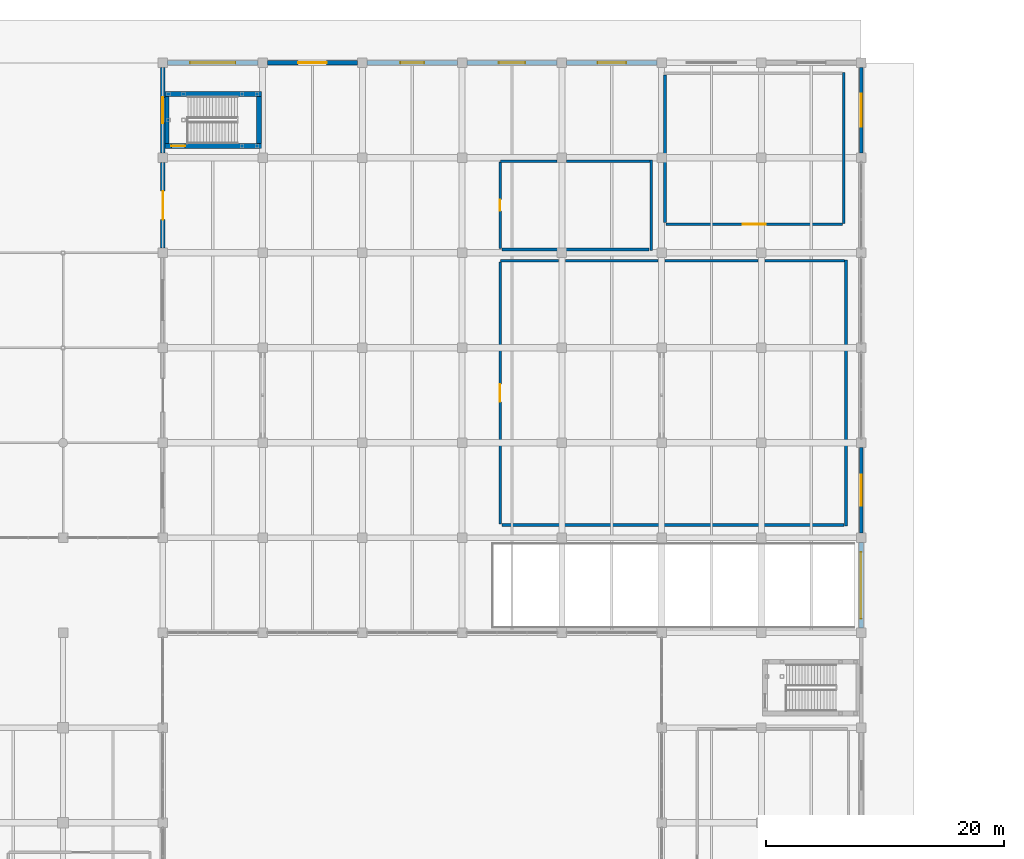
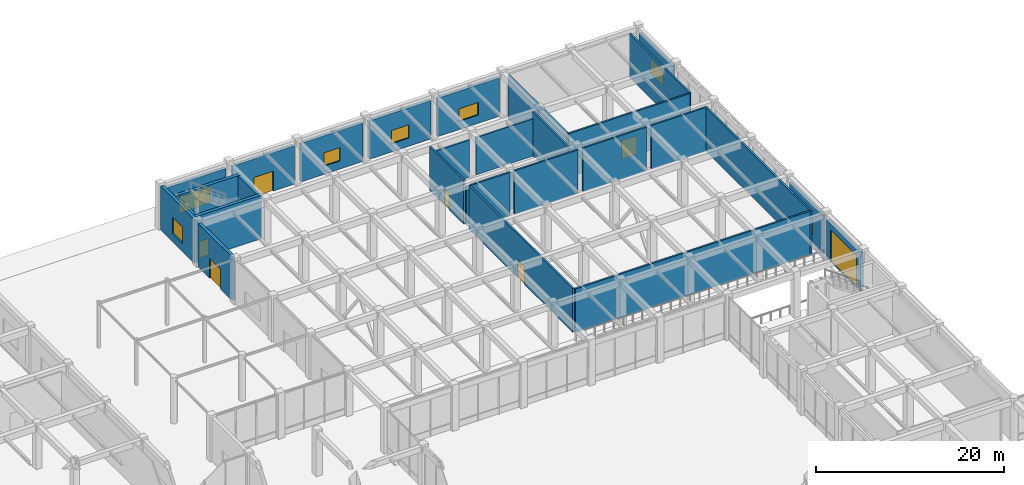
# One storey, part 56 of 76: 29 walls, 7 doors, 7 windows, 14 openings.
"""IFC4 building model written with IfcOpenShell, lengths in metres."""

import ifcopenshell
import ifcopenshell.guid

model = None  # the IFC model being written
_history = None  # IfcOwnerHistory: only IFC2X3 demands one
_inside = {}  # id of a spatial element -> (the spatial element, [elements in it])
_under = {}  # id of a project, library or spatial element -> (it, [spatial elements below it])
_declared = {}  # id of a project -> (the project, [libraries it declares])
_typed = {}  # id of a type object -> (the type object, [elements of that type])
_made_of = {}  # id of a material, layer set ... -> (it, [elements and type objects made of it])


def new_model(schema):
    """Start an empty IFC model of exactly this schema.

    Asked for "IFC4X3", IfcOpenShell would pick the latest addendum, in which some entities
    have other attributes; the version numbers below select the first issue.
    IFC2X3 requires an IfcOwnerHistory on every rooted entity: one is made here for all.
    """
    global model, _history
    if schema == "IFC4X3":
        model = ifcopenshell.file(schema_version=(4, 3, 0, 0))
    else:
        model = ifcopenshell.file(schema=schema)
    _inside.clear()
    _under.clear()
    _declared.clear()
    _typed.clear()
    _made_of.clear()
    _history = None
    if model.schema == "IFC2X3":
        org = make("IfcOrganization", Name="unknown")
        user = make(
            "IfcPersonAndOrganization",
            ThePerson=make("IfcPerson", FamilyName="unknown"),
            TheOrganization=org,
        )
        app = make(
            "IfcApplication",
            ApplicationDeveloper=org,
            Version="unknown",
            ApplicationFullName="unknown",
            ApplicationIdentifier="unknown",
        )
        _history = make(
            "IfcOwnerHistory",
            OwningUser=user,
            OwningApplication=app,
            ChangeAction="ADDED",
            CreationDate=0,
        )
    return model


def make(cls, **values):
    """One entity of the class cls with the attributes given. An attribute that is None is left unset."""
    return model.create_entity(
        cls, **{name: value for name, value in values.items() if value is not None}
    )


def rooted(cls, **values):
    """An entity with a GlobalId (a new one), such as an element, a storey or a relation."""
    return make(cls, GlobalId=ifcopenshell.guid.new(), OwnerHistory=_history, **values)


def si_unit(unit_type, name, prefix=None):
    """IfcSIUnit, for example si_unit("LENGTHUNIT", "METRE", prefix="MILLI")."""
    return make("IfcSIUnit", UnitType=unit_type, Prefix=prefix, Name=name)


def assignment(units):
    """IfcUnitAssignment: the units of a project."""
    return None if units is None else make("IfcUnitAssignment", Units=units)


def point(xyz):
    """IfcCartesianPoint."""
    return None if xyz is None else make("IfcCartesianPoint", Coordinates=xyz)


def direction(xyz):
    """IfcDirection."""
    return None if xyz is None else make("IfcDirection", DirectionRatios=xyz)


def frame(location, z_axis=None, x_axis=None):
    """IfcAxis2Placement3D, a coordinate frame: its origin and axes. An axis left out is left unset."""
    return make(
        "IfcAxis2Placement3D",
        Location=point(location),
        Axis=direction(z_axis),
        RefDirection=direction(x_axis),
    )


def frame_2d(location, x_axis=None):
    """IfcAxis2Placement2D, a coordinate frame in the plane: its origin and x axis."""
    return make(
        "IfcAxis2Placement2D", Location=point(location), RefDirection=direction(x_axis)
    )


def origin():
    """The frame at (0, 0, 0) with its axes left unset."""
    return frame((0.0, 0.0, 0.0))


def place(relative_to, where):
    """IfcLocalPlacement: puts the frame where relative to a parent placement (None: the world)."""
    return make(
        "IfcLocalPlacement", PlacementRelTo=relative_to, RelativePlacement=where
    )


def context(
    kind, dimensions, precision=None, world=None, true_north=None, identifier=None
):
    """IfcGeometricRepresentationContext, for example the 3D "Model" context."""
    return make(
        "IfcGeometricRepresentationContext",
        ContextIdentifier=identifier,
        ContextType=kind,
        CoordinateSpaceDimension=dimensions,
        Precision=precision,
        WorldCoordinateSystem=world,
        TrueNorth=true_north,
    )


def subcontext(parent, identifier, kind, view, scale=None):
    """IfcGeometricRepresentationSubContext, for example "Body" below "Model"."""
    return make(
        "IfcGeometricRepresentationSubContext",
        ContextIdentifier=identifier,
        ContextType=kind,
        ParentContext=parent,
        TargetScale=scale,
        TargetView=view,
    )


def project(units=None, contexts=None):
    """IfcProject with its units and contexts."""
    return rooted(
        "IfcProject",
        Name="project",
        RepresentationContexts=contexts,
        UnitsInContext=assignment(units),
    )


def spatial(cls, under=None, at=None, **own):
    """A site, building, storey or space (cls), placed at a placement, below another one or the project."""
    s = rooted(cls, ObjectPlacement=at, **own)
    if under is not None:
        _under.setdefault(under.id(), (under, []))[1].append(s)
    return s


def profile(cls, at=None, kind="AREA", **sizes):
    """A parametric profile (cls). Its sizes go by their IFC names, for example OverallWidth=200.0."""
    return make(cls, ProfileType=kind, Position=at, **sizes)


def rectangle(**sizes):
    """IfcRectangleProfileDef."""
    return profile("IfcRectangleProfileDef", **sizes)


def extrude(swept, where, along, depth):
    """IfcExtrudedAreaSolid: the profile swept, set in the frame where, extruded along a direction by depth."""
    return make(
        "IfcExtrudedAreaSolid",
        SweptArea=swept,
        Position=where,
        ExtrudedDirection=direction(along),
        Depth=depth,
    )


def shape(context_of_items, identifier, shape_type, items):
    """IfcShapeRepresentation: the items that make up one representation, for example the "Body"."""
    return make(
        "IfcShapeRepresentation",
        ContextOfItems=context_of_items,
        RepresentationIdentifier=identifier,
        RepresentationType=shape_type,
        Items=items,
    )


def material(Name=None, Category=None):
    """IfcMaterial."""
    return make("IfcMaterial", Name=Name, Category=Category)


def layer(
    of_material, thickness, ventilated=None, Name=None, Category=None, Priority=None
):
    """IfcMaterialLayer: one layer of a wall or slab, of a material (None: an air gap)."""
    return make(
        "IfcMaterialLayer",
        Material=of_material,
        LayerThickness=thickness,
        IsVentilated=ventilated,
        Name=Name,
        Category=Category,
        Priority=Priority,
    )


def layer_set(layers, Name=None):
    """IfcMaterialLayerSet."""
    return make("IfcMaterialLayerSet", MaterialLayers=layers, LayerSetName=Name)


def made_of(thing, what):
    """Note that an element or type object is made of a material, layer set ...; save() writes the relation."""
    if what is not None:
        _made_of.setdefault(what.id(), (what, []))[1].append(thing)
    return thing


def type_object(cls, material=None, **own):
    """A type object (cls), such as IfcWallType, which elements share."""
    return made_of(rooted(cls, **own), material)


def element(
    cls,
    number,
    at=None,
    inside=None,
    cuts=None,
    type_object=None,
    material=None,
    context=None,
    identifier="Body",
    shape_type=None,
    held_by="IfcProductDefinitionShape",
    body=None,
    shapes=None,
    **own,
):
    """One element of the class cls, such as IfcWall. Its Tag is "e" and its number.

    at: its placement. inside: the storey or other place that contains it. cuts: it is an
    opening in that element (IfcRelVoidsElement). A single representation is given by context,
    identifier, shape_type and body (its items); several are given by shapes. held_by: the class
    of the entity that holds the representations. save() writes the other relations.
    """
    e = rooted(cls, Tag="e%d" % number, ObjectPlacement=at, **own)
    if body is not None:
        shapes = [shape(context, identifier, shape_type, body)]
    if shapes is not None:
        e.Representation = make(held_by, Representations=shapes)
    if inside is not None:
        _inside.setdefault(inside.id(), (inside, []))[1].append(e)
    if cuts is not None:
        rooted(
            "IfcRelVoidsElement", RelatingBuildingElement=cuts, RelatedOpeningElement=e
        )
    if type_object is not None:
        _typed.setdefault(type_object.id(), (type_object, []))[1].append(e)
    return made_of(e, material)


def fill(opening, filler):
    """IfcRelFillsElement: the door or window that sits in an opening."""
    return rooted(
        "IfcRelFillsElement",
        RelatingOpeningElement=opening,
        RelatedBuildingElement=filler,
    )


def aggregate(whole, parts):
    """IfcRelAggregates: a whole, such as a stair, and the parts it consists of."""
    return rooted("IfcRelAggregates", RelatingObject=whole, RelatedObjects=parts)


def save(model, path):
    """Write the relations noted so far, then the file.

    IfcRelAggregates (storeys below a building ...), IfcRelContainedInSpatialStructure (elements
    in a storey), IfcRelDefinesByType, IfcRelAssociatesMaterial and IfcRelDeclares: one each for
    every whole, place, type object, material and project.
    """
    for whole, parts in _under.values():
        aggregate(whole, parts)
    for where, things in _inside.values():
        rooted(
            "IfcRelContainedInSpatialStructure",
            RelatedElements=things,
            RelatingStructure=where,
        )
    for kind, things in _typed.values():
        rooted("IfcRelDefinesByType", RelatedObjects=things, RelatingType=kind)
    for what, things in _made_of.values():
        rooted("IfcRelAssociatesMaterial", RelatedObjects=things, RelatingMaterial=what)
    for by, libraries in _declared.values():
        rooted("IfcRelDeclares", RelatingContext=by, RelatedDefinitions=libraries)
    model.write(path)


model = new_model("IFC4")

# Units and contexts
model_context = context("Model", 3, precision=1e-05, world=origin(), true_north=direction((0.0, 1.0)))
body_context = subcontext(model_context, "Body", "Model", "MODEL_VIEW")
ifc_project = project(units=[si_unit("LENGTHUNIT", "METRE"), si_unit("AREAUNIT", "SQUARE_METRE"), si_unit("VOLUMEUNIT", "CUBIC_METRE"), si_unit("PLANEANGLEUNIT", "RADIAN"), si_unit("MASSUNIT", "GRAM", prefix="KILO")], contexts=[model_context])

# Site, building, storey
site_placement = place(None, origin())
site = spatial("IfcSite", under=ifc_project, at=site_placement, CompositionType="ELEMENT")
building_placement = place(site_placement, origin())
building = spatial("IfcBuilding", under=site, at=building_placement, Name="Naruveol Harbour Congress Hotel", CompositionType="ELEMENT")
storey_placement = place(building_placement, origin())
storey = spatial("IfcBuildingStorey", under=building, at=storey_placement, Name="L00", CompositionType="ELEMENT", Elevation=0.0)

# Wall, opening, window
ifc_material_1 = material(Name="Precast concrete C40/50", Category="concrete")
ifc_layer_1 = layer(ifc_material_1, 0.280029296875)
ifc_layer_set_1 = layer_set([ifc_layer_1], Name="Precast concrete C40/50")
wall_type_1 = type_object("IfcWallType", Name="ARCHITECTURAL PRECAST FACADE WALL 280", PredefinedType="SOLIDWALL", material=ifc_layer_set_1)
wall_1_placement = place(storey_placement, frame((126.0, 79.60009765625, 0.0), z_axis=(0.0, 0.0, 1.0), x_axis=(0.0, -1.0, 0.0)))
wall_1 = element("IfcWall", 1, at=wall_1_placement, inside=storey, type_object=wall_type_1, Name="Ballroom east garden wall EW-280", PredefinedType="SOLIDWALL", context=body_context, shape_type="SweptSolid", body=[
    extrude(rectangle(XDim=7.2001953125, YDim=0.280029296875, at=frame_2d((3.60009765625, 0.0))), origin(), (0.0, 0.0, 1.0), 5.0),
])
opening_1_placement = place(wall_1_placement, frame((2.300048828125, 0.0, 1.050048828125)))
opening_1 = element("IfcOpeningElement", 2, at=opening_1_placement, cuts=wall_1, Name="Opening W-08", PredefinedType="OPENING", context=body_context, shape_type="SweptSolid", body=[
    extrude(rectangle(XDim=2.60009765625, YDim=1.85009765625, at=frame_2d((1.300048828125, 0.925048828125))), frame((0.0, 0.14990234375, 0.0), z_axis=(0.0, -1.0, 0.0), x_axis=(1.0, 0.0, 0.0)), (0.0, 0.0, 1.0), 0.300048828125),
])
ifc_material_2 = material(Name="Low-E Triple Glazing in Thermal Aluminium", Category="aluminium")
window_type_1 = type_object("IfcWindowType", Name="DIPLOMATIC SUITE WINDOW 2600X1850", PartitioningType="DOUBLE_PANEL_VERTICAL", PredefinedType="WINDOW", material=ifc_material_2)
window_1_placement = place(opening_1_placement, origin())
window_1 = element("IfcWindow", 3, at=window_1_placement, inside=storey, type_object=window_type_1, Name="Window W-08 #111", OverallHeight=1.85009765625, OverallWidth=2.60009765625, PartitioningType="DOUBLE_PANEL_VERTICAL", PredefinedType="WINDOW", context=body_context, shape_type="SweptSolid", body=[
    extrude(rectangle(XDim=2.60009765625, YDim=1.85009765625, at=frame_2d((1.300048828125, 0.925048828125))), frame((0.0, 0.030029296875, 0.0), z_axis=(0.0, -1.0, 0.0), x_axis=(1.0, 0.0, 0.0)), (0.0, 0.0, 1.0), 0.06005859375),
])
fill(opening_1, window_1)

wall_2_placement = place(storey_placement, frame((126.0, 111.60009765625, 0.0), z_axis=(0.0, 0.0, 1.0), x_axis=(0.0, -1.0, 0.0)))
wall_2 = element("IfcWall", 4, at=wall_2_placement, inside=storey, type_object=wall_type_1, Name="Ballroom east garden wall EW-280", PredefinedType="SOLIDWALL", context=body_context, shape_type="SweptSolid", body=[
    extrude(rectangle(XDim=7.2001953125, YDim=0.280029296875, at=frame_2d((3.60009765625, 0.0))), origin(), (0.0, 0.0, 1.0), 5.0),
])
opening_2_placement = place(wall_2_placement, frame((2.199951171875, 0.0, 1.050048828125)))
opening_2 = element("IfcOpeningElement", 5, at=opening_2_placement, cuts=wall_2, Name="Opening W-09", PredefinedType="OPENING", context=body_context, shape_type="SweptSolid", body=[
    extrude(rectangle(XDim=2.800048828125, YDim=1.949951171875, at=frame_2d((1.39990234375, 0.97509765625))), frame((0.0, 0.14990234375, 0.0), z_axis=(0.0, -1.0, 0.0), x_axis=(1.0, 0.0, 0.0)), (0.0, 0.0, 1.0), 0.300048828125),
])
ifc_material_3 = material(Name="Low-E Triple Glazing in Thermal Aluminium", Category="aluminium")
window_type_2 = type_object("IfcWindowType", Name="PRESIDENTIAL SUITE WINDOW 2800X1950", PartitioningType="DOUBLE_PANEL_VERTICAL", PredefinedType="WINDOW", material=ifc_material_3)
window_2_placement = place(opening_2_placement, origin())
window_2 = element("IfcWindow", 6, at=window_2_placement, inside=storey, type_object=window_type_2, Name="Window W-09 #112", OverallHeight=1.949951171875, OverallWidth=2.800048828125, PartitioningType="DOUBLE_PANEL_VERTICAL", PredefinedType="WINDOW", context=body_context, shape_type="SweptSolid", body=[
    extrude(rectangle(XDim=2.800048828125, YDim=1.949951171875, at=frame_2d((1.39990234375, 0.97509765625))), frame((0.0, 0.030029296875, 0.0), z_axis=(0.0, -1.0, 0.0), x_axis=(1.0, 0.0, 0.0)), (0.0, 0.0, 1.0), 0.06005859375),
])
fill(opening_2, window_2)

# Wall, opening, door
ifc_material_4 = material(Name="Concrete C40/50", Category="concrete")
ifc_layer_2 = layer(ifc_material_4, 0.219970703125)
ifc_layer_set_2 = layer_set([ifc_layer_2], Name="Concrete C40/50")
wall_type_2 = type_object("IfcWallType", Name="FIRE COMPARTMENT AND LOBBY WALL 220 EI120", PredefinedType="PARTITIONING", material=ifc_layer_set_2)
wall_3_placement = place(storey_placement, frame((95.60009765625, 73.159912109375, 0.0), z_axis=(0.0, 0.0, 1.0), x_axis=(0.0, 1.0, 0.0)))
wall_3 = element("IfcWall", 7, at=wall_3_placement, inside=storey, type_object=wall_type_2, Name="Main Banquet Production Kitchen west entry wall FW-220", PredefinedType="PARTITIONING", context=body_context, shape_type="SweptSolid", body=[
    extrude(rectangle(XDim=22.080078125, YDim=0.219970703125, at=frame_2d((11.0400390625, 0.0))), origin(), (0.0, 0.0, 1.0), 5.675048828125),
])
opening_3_placement = place(wall_3_placement, frame((10.2900390625, 0.0, 0.0)))
opening_3 = element("IfcOpeningElement", 8, at=opening_3_placement, cuts=wall_3, Name="Opening FD-KT-23", PredefinedType="OPENING", context=body_context, shape_type="SweptSolid", body=[
    extrude(rectangle(XDim=1.5, YDim=2.300048828125, at=frame_2d((0.75, 1.14990234375))), frame((0.0, 0.119873046875, 0.0), z_axis=(0.0, -1.0, 0.0), x_axis=(1.0, 0.0, 0.0)), (0.0, 0.0, 1.0), 0.239990234375),
])
ifc_material_5 = material(Name="Timber & Steel Acoustic Leaf", Category="steel")
door_type_1 = type_object("IfcDoorType", Name="BANQUET KITCHEN SERVICE FIRE DOOR 1500X2300", OperationType="DOUBLE_DOOR_SINGLE_SWING", PredefinedType="DOOR", material=ifc_material_5)
door_1_placement = place(opening_3_placement, origin())
door_1 = element("IfcDoor", 9, at=door_1_placement, inside=storey, type_object=door_type_1, Name="Main Banquet Production Kitchen Fire Door", OperationType="DOUBLE_DOOR_SINGLE_SWING", OverallHeight=2.300048828125, OverallWidth=1.5, PredefinedType="DOOR", context=body_context, shape_type="SweptSolid", body=[
    extrude(rectangle(XDim=1.5, YDim=2.300048828125, at=frame_2d((0.75, 1.14990234375))), frame((0.0, 0.02490234375, 0.0), z_axis=(0.0, -1.0, 0.0), x_axis=(1.0, 0.0, 0.0)), (0.0, 0.0, 1.0), 0.050048828125),
])
fill(opening_3, door_1)

# Wall
wall_4_placement = place(storey_placement, frame((95.739990234375, 73.080078125, 0.0), z_axis=(0.0, 0.0, 1.0), x_axis=(1.0, 0.0, 0.0)))
element("IfcWall", 10, at=wall_4_placement, inside=storey, type_object=wall_type_2, Name="Main Banquet Production Kitchen south partition FW-220", PredefinedType="PARTITIONING", context=body_context, shape_type="SweptSolid", body=[
    extrude(rectangle(XDim=28.81005859375, YDim=0.219970703125, at=frame_2d((14.405029296875, 0.0))), origin(), (0.0, 0.0, 1.0), 5.675048828125),
])

# Wall, opening, door
wall_5_placement = place(storey_placement, frame((95.60009765625, 96.360107421875, 0.0), z_axis=(0.0, 0.0, 1.0), x_axis=(0.0, 1.0, 0.0)))
wall_5 = element("IfcWall", 11, at=wall_5_placement, inside=storey, type_object=wall_type_2, Name="Ballroom Chair and Staging Store west entry wall FW-220", PredefinedType="PARTITIONING", context=body_context, shape_type="SweptSolid", body=[
    extrude(rectangle(XDim=7.27978515625, YDim=0.219970703125, at=frame_2d((3.639892578125, 0.0))), origin(), (0.0, 0.0, 1.0), 5.675048828125),
])
opening_4_placement = place(wall_5_placement, frame((3.169921875, 0.0, 0.0)))
opening_4 = element("IfcOpeningElement", 12, at=opening_4_placement, cuts=wall_5, Name="Opening FD-ST-24", PredefinedType="OPENING", context=body_context, shape_type="SweptSolid", body=[
    extrude(rectangle(XDim=0.93994140625, YDim=2.14990234375, at=frame_2d((0.469970703125, 1.074951171875))), frame((0.0, 0.119873046875, 0.0), z_axis=(0.0, -1.0, 0.0), x_axis=(1.0, 0.0, 0.0)), (0.0, 0.0, 1.0), 0.239990234375),
])
ifc_material_6 = material(Name="Timber & Steel Acoustic Leaf", Category="steel")
door_type_2 = type_object("IfcDoorType", Name="HOUSEKEEPING AND STORE FIRE DOOR 940X2150", OperationType="NOTDEFINED", PredefinedType="DOOR", material=ifc_material_6)
door_2_placement = place(opening_4_placement, origin())
door_2 = element("IfcDoor", 13, at=door_2_placement, inside=storey, type_object=door_type_2, Name="Ballroom Chair and Staging Store Fire Door", OperationType="SINGLE_SWING_LEFT", OverallHeight=2.14990234375, OverallWidth=0.93994140625, PredefinedType="DOOR", context=body_context, shape_type="SweptSolid", body=[
    extrude(rectangle(XDim=0.93994140625, YDim=2.14990234375, at=frame_2d((0.469970703125, 1.074951171875))), frame((0.0, 0.02490234375, 0.0), z_axis=(0.0, -1.0, 0.0), x_axis=(1.0, 0.0, 0.0)), (0.0, 0.0, 1.0), 0.050048828125),
])
fill(opening_4, door_2)

# Wall
wall_6_placement = place(storey_placement, frame((95.739990234375, 96.280029296875, 0.0), z_axis=(0.0, 0.0, 1.0), x_axis=(1.0, 0.0, 0.0)))
element("IfcWall", 14, at=wall_6_placement, inside=storey, type_object=wall_type_2, Name="Ballroom Chair and Staging Store south partition FW-220", PredefinedType="PARTITIONING", context=body_context, shape_type="SweptSolid", body=[
    extrude(rectangle(XDim=12.409912109375, YDim=0.219970703125, at=frame_2d((6.205078125, 0.0))), origin(), (0.0, 0.0, 1.0), 4.85009765625),
])

# Wall, opening, door
wall_7_placement = place(storey_placement, frame((109.56005859375, 98.39990234375, 0.0), z_axis=(0.0, 0.0, 1.0), x_axis=(1.0, 0.0, 0.0)))
wall_7 = element("IfcWall", 15, at=wall_7_placement, inside=storey, type_object=wall_type_2, Name="Loading Bay south entry wall FW-220", PredefinedType="PARTITIONING", context=body_context, shape_type="SweptSolid", body=[
    extrude(rectangle(XDim=14.8798828125, YDim=0.219970703125, at=frame_2d((7.43994140625, 0.0))), origin(), (0.0, 0.0, 1.0), 5.675048828125),
])
opening_5_placement = place(wall_7_placement, frame((6.465087890625, 0.0, 0.0)))
opening_5 = element("IfcOpeningElement", 16, at=opening_5_placement, cuts=wall_7, Name="Opening FD-LDB1", PredefinedType="OPENING", context=body_context, shape_type="SweptSolid", body=[
    extrude(rectangle(XDim=1.949951171875, YDim=2.449951171875, at=frame_2d((0.97509765625, 1.22509765625))), frame((0.0, 0.119873046875, 0.0), z_axis=(0.0, -1.0, 0.0), x_axis=(1.0, 0.0, 0.0)), (0.0, 0.0, 1.0), 0.239990234375),
])
ifc_material_7 = material(Name="Timber & Steel Acoustic Leaf", Category="steel")
door_type_3 = type_object("IfcDoorType", Name="LOADING CORRIDOR DOUBLE FIRE DOOR 1950X2450", OperationType="DOUBLE_DOOR_SINGLE_SWING", PredefinedType="DOOR", material=ifc_material_7)
door_3_placement = place(opening_5_placement, origin())
door_3 = element("IfcDoor", 17, at=door_3_placement, inside=storey, type_object=door_type_3, Name="Loading Bay Interior Fire Door FD-LDB1", OperationType="DOUBLE_DOOR_SINGLE_SWING", OverallHeight=2.449951171875, OverallWidth=1.949951171875, PredefinedType="DOOR", context=body_context, shape_type="SweptSolid", body=[
    extrude(rectangle(XDim=1.949951171875, YDim=2.449951171875, at=frame_2d((0.97509765625, 1.22509765625))), frame((0.0, 0.02490234375, 0.0), z_axis=(0.0, -1.0, 0.0), x_axis=(1.0, 0.0, 0.0)), (0.0, 0.0, 1.0), 0.050048828125),
])
fill(opening_5, door_3)

# Walls
wall_8_placement = place(storey_placement, frame((109.47998046875, 98.5400390625, 0.0), z_axis=(0.0, 0.0, 1.0), x_axis=(0.0, 1.0, 0.0)))
element("IfcWall", 18, at=wall_8_placement, inside=storey, type_object=wall_type_2, Name="Loading Bay west partition FW-220", PredefinedType="PARTITIONING", context=body_context, shape_type="SweptSolid", body=[
    extrude(rectangle(XDim=12.409912109375, YDim=0.219970703125, at=frame_2d((6.205078125, 0.0))), origin(), (0.0, 0.0, 1.0), 5.675048828125),
])
wall_9_placement = place(storey_placement, frame((124.719970703125, 73.0, 0.0), z_axis=(0.0, 0.0, 1.0), x_axis=(0.0, 1.0, 0.0)))
element("IfcWall", 19, at=wall_9_placement, inside=storey, type_object=wall_type_2, Name="Main Banquet Production Kitchen east enclosure partition FW-220", PredefinedType="PARTITIONING", context=body_context, shape_type="SweptSolid", body=[
    extrude(rectangle(XDim=22.39990234375, YDim=0.219970703125, at=frame_2d((11.199951171875, 0.0))), origin(), (0.0, 0.0, 1.0), 5.675048828125),
])
wall_10_placement = place(storey_placement, frame((95.652099609375, 95.320068359375, 0.0), z_axis=(0.0, 0.0, 1.0), x_axis=(1.0, 0.0, 0.0)))
element("IfcWall", 20, at=wall_10_placement, inside=storey, type_object=wall_type_2, Name="Main Banquet Production Kitchen north enclosure partition FW-220", PredefinedType="PARTITIONING", context=body_context, shape_type="SweptSolid", body=[
    extrude(rectangle(XDim=4.847900390625, YDim=0.219970703125, at=frame_2d((2.423828125, 0.0))), origin(), (0.0, 0.0, 1.0), 5.675048828125),
])
wall_11_placement = place(storey_placement, frame((101.10009765625, 95.320068359375, 0.0), z_axis=(0.0, 0.0, 1.0), x_axis=(1.0, 0.0, 0.0)))
element("IfcWall", 21, at=wall_11_placement, inside=storey, type_object=wall_type_2, Name="Main Banquet Production Kitchen north enclosure partition FW-220", PredefinedType="PARTITIONING", context=body_context, shape_type="SweptSolid", body=[
    extrude(rectangle(XDim=7.7998046875, YDim=0.219970703125, at=frame_2d((3.89990234375, 0.0))), origin(), (0.0, 0.0, 1.0), 5.675048828125),
])
wall_12_placement = place(storey_placement, frame((109.5, 95.320068359375, 0.0), z_axis=(0.0, 0.0, 1.0), x_axis=(1.0, 0.0, 0.0)))
element("IfcWall", 22, at=wall_12_placement, inside=storey, type_object=wall_type_2, Name="Main Banquet Production Kitchen north enclosure partition FW-220", PredefinedType="PARTITIONING", context=body_context, shape_type="SweptSolid", body=[
    extrude(rectangle(XDim=7.800048828125, YDim=0.219970703125, at=frame_2d((3.89990234375, 0.0))), origin(), (0.0, 0.0, 1.0), 5.675048828125),
])
wall_13_placement = place(storey_placement, frame((117.89990234375, 95.320068359375, 0.0), z_axis=(0.0, 0.0, 1.0), x_axis=(1.0, 0.0, 0.0)))
element("IfcWall", 23, at=wall_13_placement, inside=storey, type_object=wall_type_2, Name="Main Banquet Production Kitchen north enclosure partition FW-220", PredefinedType="PARTITIONING", context=body_context, shape_type="SweptSolid", body=[
    extrude(rectangle(XDim=6.710205078125, YDim=0.219970703125, at=frame_2d((3.35498046875, 0.0))), origin(), (0.0, 0.0, 1.0), 5.675048828125),
])
wall_14_placement = place(storey_placement, frame((108.320068359375, 96.199951171875, 0.0), z_axis=(0.0, 0.0, 1.0), x_axis=(0.0, 1.0, 0.0)))
element("IfcWall", 24, at=wall_14_placement, inside=storey, type_object=wall_type_2, Name="Ballroom Chair and Staging Store east enclosure partition FW-220", PredefinedType="PARTITIONING", context=body_context, shape_type="SweptSolid", body=[
    extrude(rectangle(XDim=7.60009765625, YDim=0.219970703125, at=frame_2d((3.800048828125, 0.0))), origin(), (0.0, 0.0, 1.0), 5.675048828125),
])
wall_15_placement = place(storey_placement, frame((95.652099609375, 103.719970703125, 0.0), z_axis=(0.0, 0.0, 1.0), x_axis=(1.0, 0.0, 0.0)))
element("IfcWall", 25, at=wall_15_placement, inside=storey, type_object=wall_type_2, Name="Ballroom Chair and Staging Store north enclosure partition FW-220", PredefinedType="PARTITIONING", context=body_context, shape_type="SweptSolid", body=[
    extrude(rectangle(XDim=4.747802734375, YDim=0.219970703125, at=frame_2d((2.3740234375, 0.0))), origin(), (0.0, 0.0, 1.0), 4.85009765625),
])
wall_16_placement = place(storey_placement, frame((101.199951171875, 103.719970703125, 0.0), z_axis=(0.0, 0.0, 1.0), x_axis=(1.0, 0.0, 0.0)))
element("IfcWall", 26, at=wall_16_placement, inside=storey, type_object=wall_type_2, Name="Ballroom Chair and Staging Store north enclosure partition FW-220", PredefinedType="PARTITIONING", context=body_context, shape_type="SweptSolid", body=[
    extrude(rectangle(XDim=7.010009765625, YDim=0.219970703125, at=frame_2d((3.5048828125, 0.0))), origin(), (0.0, 0.0, 1.0), 4.85009765625),
])
wall_17_placement = place(storey_placement, frame((124.52001953125, 98.451904296875, 0.0), z_axis=(0.0, 0.0, 1.0), x_axis=(0.0, 1.0, 0.0)))
element("IfcWall", 27, at=wall_17_placement, inside=storey, type_object=wall_type_2, Name="Loading Bay east enclosure partition FW-220", PredefinedType="PARTITIONING", context=body_context, shape_type="SweptSolid", body=[
    extrude(rectangle(XDim=12.748046875, YDim=0.219970703125, at=frame_2d((6.3740234375, 0.0))), origin(), (0.0, 0.0, 1.0), 5.675048828125),
])

# Wall, opening, door
ifc_material_8 = material(Name="Concrete C40/50", Category="concrete")
ifc_layer_3 = layer(ifc_material_8, 0.3798828125)
ifc_layer_set_3 = layer_set([ifc_layer_3], Name="Concrete C40/50")
wall_type_3 = type_object("IfcWallType", Name="INSULATED GRANITE FACADE WALL 380", PredefinedType="SOLIDWALL", material=ifc_layer_set_3)
wall_18_placement = place(storey_placement, frame((67.199951171875, 96.39990234375, 0.0), z_axis=(0.0, 0.0, 1.0), x_axis=(0.0, 1.0, 0.0)))
wall_18 = element("IfcWall", 28, at=wall_18_placement, inside=storey, type_object=wall_type_3, Name="Ballroom west forecourt wall EW-380", PredefinedType="SOLIDWALL", context=body_context, shape_type="SweptSolid", body=[
    extrude(rectangle(XDim=7.2001953125, YDim=0.3798828125, at=frame_2d((3.60009765625, 0.0))), origin(), (0.0, 0.0, 1.0), 5.699951171875),
])
opening_6_placement = place(wall_18_placement, frame((2.39990234375, 0.0, 0.0)))
opening_6 = element("IfcOpeningElement", 29, at=opening_6_placement, cuts=wall_18, Name="Opening E7", PredefinedType="OPENING", context=body_context, shape_type="SweptSolid", body=[
    extrude(rectangle(XDim=2.39990234375, YDim=2.60009765625, at=frame_2d((1.199951171875, 1.300048828125))), frame((0.0, 0.199951171875, 0.0), z_axis=(0.0, -1.0, 0.0), x_axis=(1.0, 0.0, 0.0)), (0.0, 0.0, 1.0), 0.39990234375),
])
ifc_material_9 = material(Name="Powder-Coated Steel & Insulated Glazing", Category="steel")
door_type_4 = type_object("IfcDoorType", Name="FINAL EXIT DOUBLE DOOR 2400X2600", OperationType="DOUBLE_DOOR_SINGLE_SWING", PredefinedType="DOOR", material=ifc_material_9)
door_4_placement = place(opening_6_placement, origin())
door_4 = element("IfcDoor", 30, at=door_4_placement, inside=storey, type_object=door_type_4, Name="Final Exit Door E7", OperationType="DOUBLE_DOOR_SINGLE_SWING", OverallHeight=2.60009765625, OverallWidth=2.39990234375, PredefinedType="DOOR", context=body_context, shape_type="SweptSolid", body=[
    extrude(rectangle(XDim=2.39990234375, YDim=2.60009765625, at=frame_2d((1.199951171875, 1.300048828125))), frame((0.0, 0.02490234375, 0.0), z_axis=(0.0, -1.0, 0.0), x_axis=(1.0, 0.0, 0.0)), (0.0, 0.0, 1.0), 0.050048828125),
])
fill(opening_6, door_4)

# Wall, opening, window
wall_19_placement = place(storey_placement, frame((67.199951171875, 104.39990234375, 0.0), z_axis=(0.0, 0.0, 1.0), x_axis=(0.0, 1.0, 0.0)))
wall_19 = element("IfcWall", 31, at=wall_19_placement, inside=storey, type_object=wall_type_3, Name="Ballroom west forecourt wall EW-380", PredefinedType="SOLIDWALL", context=body_context, shape_type="SweptSolid", body=[
    extrude(rectangle(XDim=7.2001953125, YDim=0.3798828125, at=frame_2d((3.60009765625, 0.0))), origin(), (0.0, 0.0, 1.0), 5.699951171875),
])
opening_7_placement = place(wall_19_placement, frame((2.52490234375, 0.0, 1.050048828125)))
opening_7 = element("IfcOpeningElement", 32, at=opening_7_placement, cuts=wall_19, Name="Opening W-29", PredefinedType="OPENING", context=body_context, shape_type="SweptSolid", body=[
    extrude(rectangle(XDim=2.14990234375, YDim=2.10009765625, at=frame_2d((1.074951171875, 1.050048828125))), frame((0.0, 0.199951171875, 0.0), z_axis=(0.0, -1.0, 0.0), x_axis=(1.0, 0.0, 0.0)), (0.0, 0.0, 1.0), 0.39990234375),
])
ifc_material_10 = material(Name="Low-E Triple Glazing in Thermal Aluminium", Category="aluminium")
window_type_3 = type_object("IfcWindowType", Name="DINING TERRACE WINDOW 2150X2100", PartitioningType="DOUBLE_PANEL_VERTICAL", PredefinedType="WINDOW", material=ifc_material_10)
window_3_placement = place(opening_7_placement, origin())
window_3 = element("IfcWindow", 33, at=window_3_placement, inside=storey, type_object=window_type_3, Name="Window W-29 #106", OverallHeight=2.10009765625, OverallWidth=2.14990234375, PartitioningType="DOUBLE_PANEL_VERTICAL", PredefinedType="WINDOW", context=body_context, shape_type="SweptSolid", body=[
    extrude(rectangle(XDim=2.14990234375, YDim=2.10009765625, at=frame_2d((1.074951171875, 1.050048828125))), frame((0.0, 0.030029296875, 0.0), z_axis=(0.0, -1.0, 0.0), x_axis=(1.0, 0.0, 0.0)), (0.0, 0.0, 1.0), 0.06005859375),
])
fill(opening_7, window_3)

wall_20_placement = place(storey_placement, frame((67.60009765625, 112.0, 0.0), z_axis=(0.0, 0.0, 1.0), x_axis=(1.0, 0.0, 0.0)))
wall_20 = element("IfcWall", 34, at=wall_20_placement, inside=storey, type_object=wall_type_3, Name="Ballroom north facade EW-380", PredefinedType="SOLIDWALL", context=body_context, shape_type="SweptSolid", body=[
    extrude(rectangle(XDim=7.599853515625, YDim=0.3798828125, at=frame_2d((3.7998046875, 0.0))), origin(), (0.0, 0.0, 1.0), 5.0),
])
opening_8_placement = place(wall_20_placement, frame((1.89990234375, 0.0, 1.050048828125)))
opening_8 = element("IfcOpeningElement", 35, at=opening_8_placement, cuts=wall_20, Name="Opening W-30", PredefinedType="OPENING", context=body_context, shape_type="SweptSolid", body=[
    extrude(rectangle(XDim=3.800048828125, YDim=2.10009765625, at=frame_2d((1.89990234375, 1.050048828125))), frame((0.0, 0.199951171875, 0.0), z_axis=(0.0, -1.0, 0.0), x_axis=(1.0, 0.0, 0.0)), (0.0, 0.0, 1.0), 0.39990234375),
])
ifc_material_11 = material(Name="Low-E Triple Glazing in Thermal Aluminium", Category="aluminium")
window_type_4 = type_object("IfcWindowType", Name="FITNESS STUDIO PANORAMA 3800X2100", PartitioningType="DOUBLE_PANEL_VERTICAL", PredefinedType="WINDOW", material=ifc_material_11)
window_4_placement = place(opening_8_placement, origin())
window_4 = element("IfcWindow", 36, at=window_4_placement, inside=storey, type_object=window_type_4, Name="Window W-30 #107", OverallHeight=2.10009765625, OverallWidth=3.800048828125, PartitioningType="DOUBLE_PANEL_VERTICAL", PredefinedType="WINDOW", context=body_context, shape_type="SweptSolid", body=[
    extrude(rectangle(XDim=3.800048828125, YDim=2.10009765625, at=frame_2d((1.89990234375, 1.050048828125))), frame((0.0, 0.030029296875, 0.0), z_axis=(0.0, -1.0, 0.0), x_axis=(1.0, 0.0, 0.0)), (0.0, 0.0, 1.0), 0.06005859375),
])
fill(opening_8, window_4)

# Wall, opening, door
wall_21_placement = place(storey_placement, frame((76.0, 112.0, 0.0), z_axis=(0.0, 0.0, 1.0), x_axis=(1.0, 0.0, 0.0)))
wall_21 = element("IfcWall", 37, at=wall_21_placement, inside=storey, type_object=wall_type_3, Name="Ballroom north facade EW-380", PredefinedType="SOLIDWALL", context=body_context, shape_type="SweptSolid", body=[
    extrude(rectangle(XDim=7.60009765625, YDim=0.3798828125, at=frame_2d((3.800048828125, 0.0))), origin(), (0.0, 0.0, 1.0), 5.0),
])
opening_9_placement = place(wall_21_placement, frame((2.60009765625, 0.0, 0.0)))
opening_9 = element("IfcOpeningElement", 38, at=opening_9_placement, cuts=wall_21, Name="Opening E8", PredefinedType="OPENING", context=body_context, shape_type="SweptSolid", body=[
    extrude(rectangle(XDim=2.39990234375, YDim=2.60009765625, at=frame_2d((1.199951171875, 1.300048828125))), frame((0.0, 0.199951171875, 0.0), z_axis=(0.0, -1.0, 0.0), x_axis=(1.0, 0.0, 0.0)), (0.0, 0.0, 1.0), 0.39990234375),
])
door_5_placement = place(opening_9_placement, origin())
door_5 = element("IfcDoor", 39, at=door_5_placement, inside=storey, type_object=door_type_4, Name="Final Exit Door E8", OperationType="DOUBLE_DOOR_SINGLE_SWING", OverallHeight=2.60009765625, OverallWidth=2.39990234375, PredefinedType="DOOR", context=body_context, shape_type="SweptSolid", body=[
    extrude(rectangle(XDim=2.39990234375, YDim=2.60009765625, at=frame_2d((1.199951171875, 1.300048828125))), frame((0.0, 0.02490234375, 0.0), z_axis=(0.0, -1.0, 0.0), x_axis=(1.0, 0.0, 0.0)), (0.0, 0.0, 1.0), 0.050048828125),
])
fill(opening_9, door_5)

# Wall, opening, window
wall_22_placement = place(storey_placement, frame((84.39990234375, 112.0, 0.0), z_axis=(0.0, 0.0, 1.0), x_axis=(1.0, 0.0, 0.0)))
wall_22 = element("IfcWall", 40, at=wall_22_placement, inside=storey, type_object=wall_type_3, Name="Ballroom north facade EW-380", PredefinedType="SOLIDWALL", context=body_context, shape_type="SweptSolid", body=[
    extrude(rectangle(XDim=7.60009765625, YDim=0.3798828125, at=frame_2d((3.800048828125, 0.0))), origin(), (0.0, 0.0, 1.0), 5.0),
])
opening_10_placement = place(wall_22_placement, frame((2.800048828125, 0.0, 1.050048828125)))
opening_10 = element("IfcOpeningElement", 41, at=opening_10_placement, cuts=wall_22, Name="Opening W-05", PredefinedType="OPENING", context=body_context, shape_type="SweptSolid", body=[
    extrude(rectangle(XDim=2.0, YDim=1.75, at=frame_2d((1.0, 0.875))), frame((0.0, 0.199951171875, 0.0), z_axis=(0.0, -1.0, 0.0), x_axis=(1.0, 0.0, 0.0)), (0.0, 0.0, 1.0), 0.39990234375),
])
ifc_material_12 = material(Name="Low-E Triple Glazing in Thermal Aluminium", Category="aluminium")
window_type_5 = type_object("IfcWindowType", Name="GARDEN SUITE WINDOW 2000X1750", PartitioningType="DOUBLE_PANEL_VERTICAL", PredefinedType="WINDOW", material=ifc_material_12)
window_5_placement = place(opening_10_placement, origin())
window_5 = element("IfcWindow", 42, at=window_5_placement, inside=storey, type_object=window_type_5, Name="Window W-05 #108", OverallHeight=1.75, OverallWidth=2.0, PartitioningType="DOUBLE_PANEL_VERTICAL", PredefinedType="WINDOW", context=body_context, shape_type="SweptSolid", body=[
    extrude(rectangle(XDim=2.0, YDim=1.75, at=frame_2d((1.0, 0.875))), frame((0.0, 0.030029296875, 0.0), z_axis=(0.0, -1.0, 0.0), x_axis=(1.0, 0.0, 0.0)), (0.0, 0.0, 1.0), 0.06005859375),
])
fill(opening_10, window_5)

wall_23_placement = place(storey_placement, frame((92.800048828125, 112.0, 0.0), z_axis=(0.0, 0.0, 1.0), x_axis=(1.0, 0.0, 0.0)))
wall_23 = element("IfcWall", 43, at=wall_23_placement, inside=storey, type_object=wall_type_3, Name="Ballroom north facade EW-380", PredefinedType="SOLIDWALL", context=body_context, shape_type="SweptSolid", body=[
    extrude(rectangle(XDim=7.599853515625, YDim=0.3798828125, at=frame_2d((3.7998046875, 0.0))), origin(), (0.0, 0.0, 1.0), 5.0),
])
opening_11_placement = place(wall_23_placement, frame((2.699951171875, 0.0, 1.050048828125)))
opening_11 = element("IfcOpeningElement", 44, at=opening_11_placement, cuts=wall_23, Name="Opening W-06", PredefinedType="OPENING", context=body_context, shape_type="SweptSolid", body=[
    extrude(rectangle(XDim=2.199951171875, YDim=1.75, at=frame_2d((1.10009765625, 0.875))), frame((0.0, 0.199951171875, 0.0), z_axis=(0.0, -1.0, 0.0), x_axis=(1.0, 0.0, 0.0)), (0.0, 0.0, 1.0), 0.39990234375),
])
ifc_material_13 = material(Name="Low-E Triple Glazing in Thermal Aluminium", Category="aluminium")
window_type_6 = type_object("IfcWindowType", Name="HARBOUR SUITE WINDOW 2200X1750", PartitioningType="DOUBLE_PANEL_VERTICAL", PredefinedType="WINDOW", material=ifc_material_13)
window_6_placement = place(opening_11_placement, origin())
window_6 = element("IfcWindow", 45, at=window_6_placement, inside=storey, type_object=window_type_6, Name="Window W-06 #109", OverallHeight=1.75, OverallWidth=2.199951171875, PartitioningType="DOUBLE_PANEL_VERTICAL", PredefinedType="WINDOW", context=body_context, shape_type="SweptSolid", body=[
    extrude(rectangle(XDim=2.199951171875, YDim=1.75, at=frame_2d((1.10009765625, 0.875))), frame((0.0, 0.030029296875, 0.0), z_axis=(0.0, -1.0, 0.0), x_axis=(1.0, 0.0, 0.0)), (0.0, 0.0, 1.0), 0.06005859375),
])
fill(opening_11, window_6)

wall_24_placement = place(storey_placement, frame((101.199951171875, 112.0, 0.0), z_axis=(0.0, 0.0, 1.0), x_axis=(1.0, 0.0, 0.0)))
wall_24 = element("IfcWall", 46, at=wall_24_placement, inside=storey, type_object=wall_type_3, Name="Ballroom north facade EW-380", PredefinedType="SOLIDWALL", context=body_context, shape_type="SweptSolid", body=[
    extrude(rectangle(XDim=7.60009765625, YDim=0.3798828125, at=frame_2d((3.800048828125, 0.0))), origin(), (0.0, 0.0, 1.0), 5.0),
])
opening_12_placement = place(wall_24_placement, frame((2.60009765625, 0.0, 1.050048828125)))
opening_12 = element("IfcOpeningElement", 47, at=opening_12_placement, cuts=wall_24, Name="Opening W-07", PredefinedType="OPENING", context=body_context, shape_type="SweptSolid", body=[
    extrude(rectangle(XDim=2.39990234375, YDim=1.64990234375, at=frame_2d((1.199951171875, 0.824951171875))), frame((0.0, 0.199951171875, 0.0), z_axis=(0.0, -1.0, 0.0), x_axis=(1.0, 0.0, 0.0)), (0.0, 0.0, 1.0), 0.39990234375),
])
ifc_material_14 = material(Name="Low-E Triple Glazing in Thermal Aluminium", Category="aluminium")
window_type_7 = type_object("IfcWindowType", Name="CORNER SUITE WINDOW 2400X1650", PartitioningType="DOUBLE_PANEL_VERTICAL", PredefinedType="WINDOW", material=ifc_material_14)
window_7_placement = place(opening_12_placement, origin())
window_7 = element("IfcWindow", 48, at=window_7_placement, inside=storey, type_object=window_type_7, Name="Window W-07 #110", OverallHeight=1.64990234375, OverallWidth=2.39990234375, PartitioningType="DOUBLE_PANEL_VERTICAL", PredefinedType="WINDOW", context=body_context, shape_type="SweptSolid", body=[
    extrude(rectangle(XDim=2.39990234375, YDim=1.64990234375, at=frame_2d((1.199951171875, 0.824951171875))), frame((0.0, 0.030029296875, 0.0), z_axis=(0.0, -1.0, 0.0), x_axis=(1.0, 0.0, 0.0)), (0.0, 0.0, 1.0), 0.06005859375),
])
fill(opening_12, window_7)

# Wall, opening, door
wall_25_placement = place(storey_placement, frame((126.0, 71.60009765625, 0.0), z_axis=(0.0, 0.0, 1.0), x_axis=(0.0, -1.0, 0.0)))
wall_25 = element("IfcWall", 49, at=wall_25_placement, inside=storey, type_object=wall_type_3, Name="Vehicle ramp portal facade EW-380", PredefinedType="SOLIDWALL", context=body_context, shape_type="SweptSolid", body=[
    extrude(rectangle(XDim=7.2001953125, YDim=0.3798828125, at=frame_2d((3.60009765625, 0.0))), origin(), (0.0, 0.0, 1.0), 5.0),
])
opening_13_placement = place(wall_25_placement, frame((0.800048828125, 0.0, 0.0)))
opening_13 = element("IfcOpeningElement", 50, at=opening_13_placement, cuts=wall_25, Name="Opening VG1", PredefinedType="OPENING", context=body_context, shape_type="SweptSolid", body=[
    extrude(rectangle(XDim=5.60009765625, YDim=4.199951171875, at=frame_2d((2.800048828125, 2.10009765625))), frame((0.0, 0.199951171875, 0.0), z_axis=(0.0, -1.0, 0.0), x_axis=(1.0, 0.0, 0.0)), (0.0, 0.0, 1.0), 0.39990234375),
])
ifc_material_15 = material(Name="Galvanised Steel Roller Shutter", Category="steel")
door_type_5 = type_object("IfcDoorType", Name="VEHICLE RAMP ROLLER SHUTTER GATE 5600X4200", OperationType="ROLLINGUP", PredefinedType="GATE", material=ifc_material_15)
door_6_placement = place(opening_13_placement, origin())
door_6 = element("IfcDoor", 51, at=door_6_placement, inside=storey, type_object=door_type_5, Name="Motorized Vehicle Roller Shutter Gate VG1", OperationType="ROLLINGUP", OverallHeight=4.199951171875, OverallWidth=5.60009765625, PredefinedType="GATE", context=body_context, shape_type="SweptSolid", body=[
    extrude(rectangle(XDim=5.60009765625, YDim=4.199951171875, at=frame_2d((2.800048828125, 2.10009765625))), frame((0.0, 0.02490234375, 0.0), z_axis=(0.0, -1.0, 0.0), x_axis=(1.0, 0.0, 0.0)), (0.0, 0.0, 1.0), 0.050048828125),
])
fill(opening_13, door_6)

ifc_material_16 = material(Name="Concrete C50/60", Category="concrete")
ifc_layer_4 = layer(ifc_material_16, 0.39990234375)
ifc_layer_set_4 = layer_set([ifc_layer_4], Name="Concrete C50/60")
wall_type_4 = type_object("IfcWallType", Name="RC CORE SHEAR WALL 400 EI120", PredefinedType="SHEAR", material=ifc_layer_set_4)
wall_26_placement = place(storey_placement, frame((67.39990234375, 105.0, 0.0), z_axis=(0.0, 0.0, 1.0), x_axis=(1.0, 0.0, 0.0)))
wall_26 = element("IfcWall", 52, at=wall_26_placement, inside=storey, type_object=wall_type_4, Name="Stair ST8 south core wall CW-400", PredefinedType="SHEAR", context=body_context, shape_type="SweptSolid", body=[
    extrude(rectangle(XDim=8.10009765625, YDim=0.39990234375, at=frame_2d((4.050048828125, 0.0))), origin(), (0.0, 0.0, 1.0), 5.675048828125),
])
opening_14_placement = place(wall_26_placement, frame((0.52001953125, 0.0, 0.0)))
opening_14 = element("IfcOpeningElement", 53, at=opening_14_placement, cuts=wall_26, Name="Opening FD-ST8-L00", PredefinedType="OPENING", context=body_context, shape_type="SweptSolid", body=[
    extrude(rectangle(XDim=1.159912109375, YDim=2.199951171875, at=frame_2d((0.580078125, 1.10009765625))), frame((0.0, 0.2099609375, 0.0), z_axis=(0.0, -1.0, 0.0), x_axis=(1.0, 0.0, 0.0)), (0.0, 0.0, 1.0), 0.419921875),
])
ifc_material_17 = material(Name="Timber & Steel Acoustic Leaf", Category="steel")
door_type_6 = type_object("IfcDoorType", Name="SPECIAL ESCAPE STAIR FIRE DOOR 1160X2200", OperationType="NOTDEFINED", PredefinedType="DOOR", material=ifc_material_17)
door_7_placement = place(opening_14_placement, origin())
door_7 = element("IfcDoor", 54, at=door_7_placement, inside=storey, type_object=door_type_6, Name="Enclosed Exit Stair Door ST8 L00", OperationType="SINGLE_SWING_RIGHT", OverallHeight=2.199951171875, OverallWidth=1.159912109375, PredefinedType="DOOR", context=body_context, shape_type="SweptSolid", body=[
    extrude(rectangle(XDim=1.159912109375, YDim=2.199951171875, at=frame_2d((0.580078125, 1.10009765625))), frame((0.0, 0.02490234375, 0.0), z_axis=(0.0, -1.0, 0.0), x_axis=(1.0, 0.0, 0.0)), (0.0, 0.0, 1.0), 0.050048828125),
])
fill(opening_14, door_7)

# Walls
wall_27_placement = place(storey_placement, frame((75.300048828125, 105.205078125, 0.0), z_axis=(0.0, 0.0, 1.0), x_axis=(0.0, 1.0, 0.0)))
element("IfcWall", 55, at=wall_27_placement, inside=storey, type_object=wall_type_4, Name="Stair ST8 east core wall CW-400", PredefinedType="SHEAR", context=body_context, shape_type="SweptSolid", body=[
    extrude(rectangle(XDim=3.949951171875, YDim=0.39990234375, at=frame_2d((1.97509765625, 0.0))), origin(), (0.0, 0.0, 1.0), 5.675048828125),
])
wall_28_placement = place(storey_placement, frame((67.39990234375, 109.360107421875, 0.0), z_axis=(0.0, 0.0, 1.0), x_axis=(1.0, 0.0, 0.0)))
element("IfcWall", 56, at=wall_28_placement, inside=storey, type_object=wall_type_4, Name="Stair ST8 north core wall CW-400", PredefinedType="SHEAR", context=body_context, shape_type="SweptSolid", body=[
    extrude(rectangle(XDim=8.10009765625, YDim=0.39990234375, at=frame_2d((4.050048828125, 0.0))), origin(), (0.0, 0.0, 1.0), 5.675048828125),
])
ifc_material_18 = material(Name="Concrete C50/60", Category="concrete")
ifc_layer_5 = layer(ifc_material_18, 0.300048828125)
ifc_layer_set_5 = layer_set([ifc_layer_5], Name="Concrete C50/60")
wall_type_5 = type_object("IfcWallType", Name="RC STAIR AND HOISTWAY SHEAR WALL 300 EI120", PredefinedType="SHEAR", material=ifc_layer_set_5)
wall_29_placement = place(storey_placement, frame((67.550048828125, 105.205078125, 0.0), z_axis=(0.0, 0.0, 1.0), x_axis=(0.0, 1.0, 0.0)))
element("IfcWall", 57, at=wall_29_placement, inside=storey, type_object=wall_type_5, Name="Stair ST8 west core wall SW-300", PredefinedType="SHEAR", context=body_context, shape_type="SweptSolid", body=[
    extrude(rectangle(XDim=3.949951171875, YDim=0.300048828125, at=frame_2d((1.97509765625, 0.0))), origin(), (0.0, 0.0, 1.0), 5.675048828125),
])

save(model, "model.ifc")
